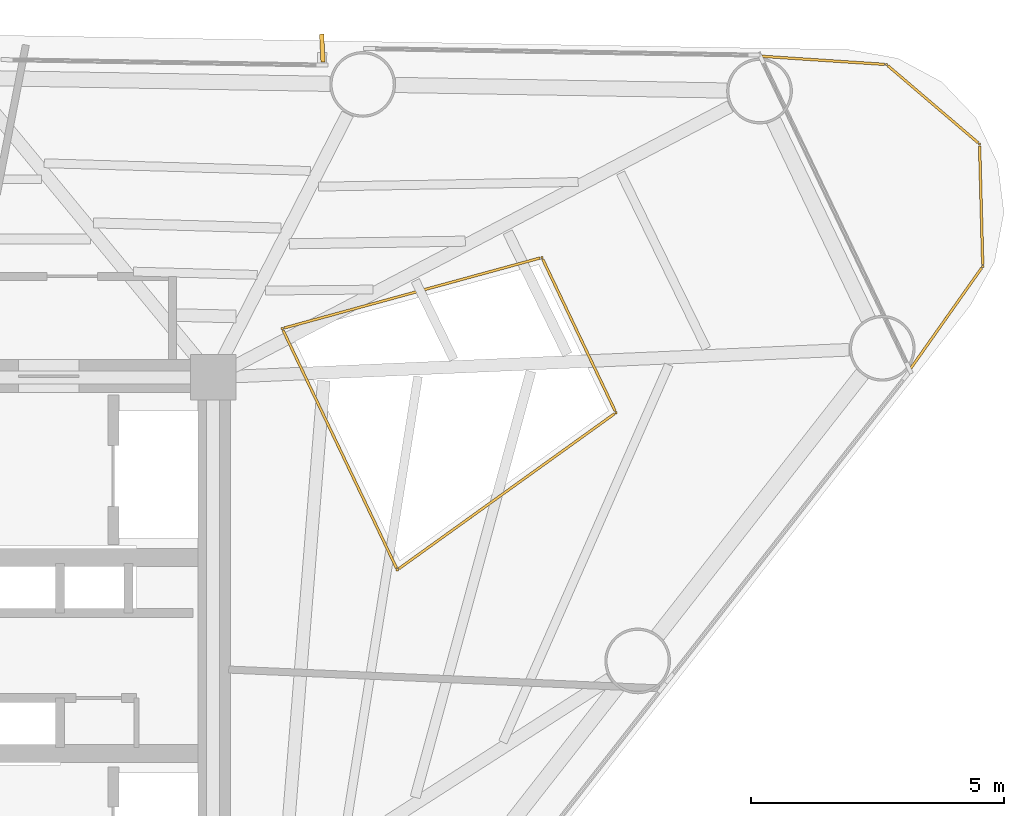
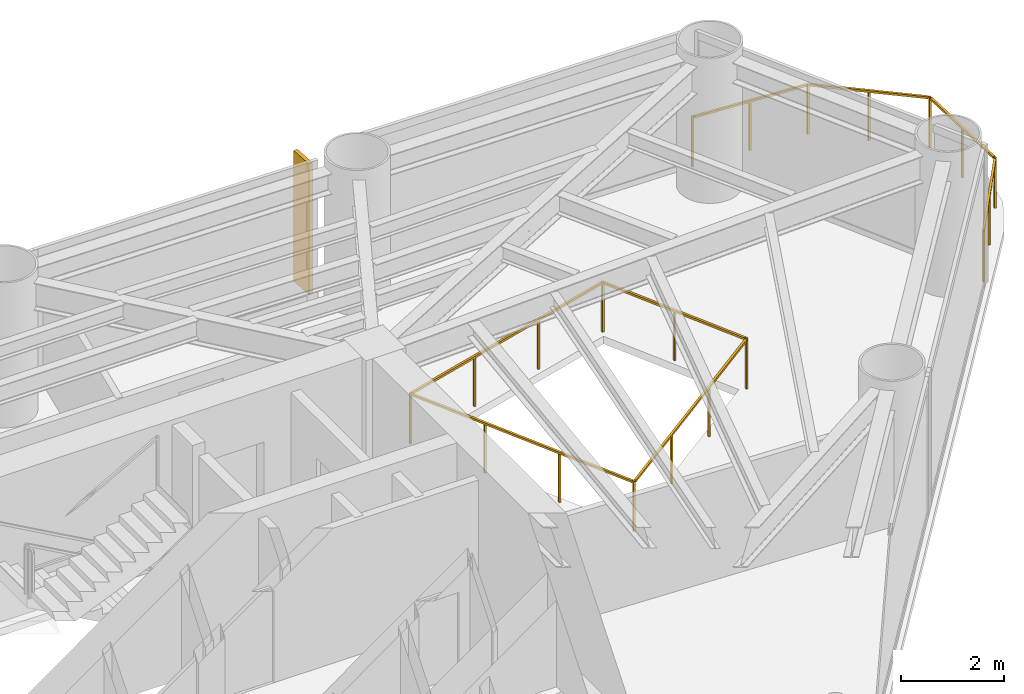
# One storey, part 11 of 11: 2 railings, 1 shading device.
"""IFC4 building model written with IfcOpenShell, lengths in metres."""

from ifc_helpers import new_model, si_unit, direction, frame, origin, origin_2d, place, context, subcontext, project, spatial, rectangle, extrude, source, transform, mapped, material, material_profile, profile_set, type_object, element, save


model = new_model("IFC4")

# Units and contexts
model_context = context("Model", 3, precision=1e-05, world=origin(), true_north=direction((0.0, 1.0)))
body_context = subcontext(model_context, "Body", "Model", "MODEL_VIEW")
ifc_project = project(units=[si_unit("LENGTHUNIT", "METRE"), si_unit("AREAUNIT", "SQUARE_METRE"), si_unit("VOLUMEUNIT", "CUBIC_METRE"), si_unit("PLANEANGLEUNIT", "RADIAN"), si_unit("MASSUNIT", "GRAM", prefix="KILO")], contexts=[model_context])

# Site, building, storey
site_placement = place(None, origin())
site = spatial("IfcSite", under=ifc_project, at=site_placement, CompositionType="ELEMENT")
building_placement = place(site_placement, origin())
building = spatial("IfcBuilding", under=site, at=building_placement, Name="Yunling Apex Tower", CompositionType="ELEMENT")
storey_placement = place(building_placement, frame((0.0, 0.0, 150.199951171875)))
storey = spatial("IfcBuildingStorey", under=building, at=storey_placement, Name="L37", CompositionType="ELEMENT", Elevation=150.199951171875)

# Railings
ifc_material = material(Name="Bronze anodised aluminium", Category="aluminium")
railing_type = type_object("IfcRailingType", Name="RL-BAL-1200", PredefinedType="BALUSTRADE", material=ifc_material)
railing_1_placement = place(storey_placement, frame((16.8701171875, 11.853515625, 0.0)))
element("IfcRailing", 1, at=railing_1_placement, inside=storey, type_object=railing_type, Name="RL-CRNSILL-L37-1", PredefinedType="BALUSTRADE", context=body_context, shape_type="SweptSolid", body=[
    extrude(rectangle(XDim=0.0439453125, YDim=0.0439453125, at=origin_2d()), origin(), (0.0, 0.0, 1.0), 1.199951171875),
    extrude(rectangle(XDim=0.0439453125, YDim=0.0439453125, at=origin_2d()), frame((2.498779296875, -0.164794921875, 0.0)), (0.0, 0.0, 1.0), 1.199951171875),
    extrude(rectangle(XDim=0.050048828125, YDim=0.050048828125, at=origin_2d()), frame((0.038330078125, -0.00244140625, 1.1748046875), z_axis=(0.99783235592, -0.065807214484, 0.0), x_axis=(0.065807214484, 0.99783235592, 0.0)), (0.0, 0.0, 1.0), 2.427490234375),
    extrude(rectangle(XDim=0.0439453125, YDim=0.0439453125, at=origin_2d()), frame((1.24951171875, -0.08251953125, 0.0)), (0.0, 0.0, 1.0), 1.14599609375),
    extrude(rectangle(XDim=0.0439453125, YDim=0.0439453125, at=origin_2d()), frame((4.339599609375, -1.737060546875, 0.0)), (0.0, 0.0, 1.0), 1.199951171875),
    extrude(rectangle(XDim=0.050048828125, YDim=0.050048828125, at=origin_2d()), frame((2.52783203125, -0.189697265625, 1.1748046875), z_axis=(0.760394429478, -0.649461555151, 0.0), x_axis=(0.649461555151, 0.760394429478, 0.0)), (0.0, 0.0, 1.0), 2.34423828125),
    extrude(rectangle(XDim=0.0439453125, YDim=0.0439453125, at=origin_2d()), frame((3.419189453125, -0.950927734375, 0.0)), (0.0, 0.0, 1.0), 1.14599609375),
    extrude(rectangle(XDim=0.0439453125, YDim=0.0439453125, at=origin_2d()), frame((4.403076171875, -4.156982421875, 0.0)), (0.0, 0.0, 1.0), 1.199951171875),
    extrude(rectangle(XDim=0.050048828125, YDim=0.050048828125, at=origin_2d()), frame((4.340576171875, -1.775390625, 1.1748046875), z_axis=(0.026221811823, -0.999656149176, 0.0), x_axis=(0.999656149176, 0.026221811823, 0.0)), (0.0, 0.0, 1.0), 2.343994140625),
    extrude(rectangle(XDim=0.0439453125, YDim=0.0439453125, at=origin_2d()), frame((4.371337890625, -2.947021484375, 0.0)), (0.0, 0.0, 1.0), 1.14599609375),
    extrude(rectangle(XDim=0.0439453125, YDim=0.0439453125, at=origin_2d()), frame((2.95849609375, -6.20263671875, 0.0)), (0.0, 0.0, 1.0), 1.199951171875),
    extrude(rectangle(XDim=0.050048828125, YDim=0.050048828125, at=origin_2d()), frame((4.380859375, -4.188232421875, 1.1748046875), z_axis=(-0.576840114355, -0.816857075914, 0.0), x_axis=(0.816857075914, -0.576840114355, 0.0)), (0.0, 0.0, 1.0), 2.427734375),
    extrude(rectangle(XDim=0.0439453125, YDim=0.0439453125, at=origin_2d()), frame((3.6806640625, -5.1796875, 0.0)), (0.0, 0.0, 1.0), 1.14599609375),
])
railing_2_placement = place(storey_placement, frame((7.41845703125, 6.46728515625, 0.0)))
element("IfcRailing", 2, at=railing_2_placement, inside=storey, type_object=railing_type, Name="RL-TATR-L37", PredefinedType="BALUSTRADE", context=body_context, shape_type="SweptSolid", body=[
    extrude(rectangle(XDim=0.0439453125, YDim=0.0439453125, at=origin_2d()), origin(), (0.0, 0.0, 1.0), 1.199951171875),
    extrude(rectangle(XDim=0.0439453125, YDim=0.0439453125, at=origin_2d()), frame((5.135498046875, 1.404541015625, 0.0)), (0.0, 0.0, 1.0), 1.199951171875),
    extrude(rectangle(XDim=0.050048828125, YDim=0.050048828125, at=origin_2d()), frame((0.036865234375, 0.010009765625, 1.1748046875), z_axis=(0.964575212807, 0.263807996162, 0.0), x_axis=(-0.263807996162, 0.964575212807, 0.0)), (0.0, 0.0, 1.0), 5.24755859375),
    extrude(rectangle(XDim=0.0439453125, YDim=0.0439453125, at=origin_2d()), frame((1.7119140625, 0.46826171875, 0.0)), (0.0, 0.0, 1.0), 1.14599609375),
    extrude(rectangle(XDim=0.0439453125, YDim=0.0439453125, at=origin_2d()), frame((3.423583984375, 0.936279296875, 0.0)), (0.0, 0.0, 1.0), 1.14599609375),
    extrude(rectangle(XDim=0.0439453125, YDim=0.0439453125, at=origin_2d()), frame((6.599609375, -1.664794921875, 0.0)), (0.0, 0.0, 1.0), 1.199951171875),
    extrude(rectangle(XDim=0.050048828125, YDim=0.050048828125, at=origin_2d()), frame((5.152099609375, 1.369873046875, 1.1748046875), z_axis=(0.430538211034, -0.902572351028, 0.0), x_axis=(0.902572351028, 0.430538211034, 0.0)), (0.0, 0.0, 1.0), 3.323974609375),
    extrude(rectangle(XDim=0.0439453125, YDim=0.0439453125, at=origin_2d()), frame((5.86767578125, -0.130126953125, 0.0)), (0.0, 0.0, 1.0), 1.14599609375),
    extrude(rectangle(XDim=0.0439453125, YDim=0.0439453125, at=origin_2d()), frame((2.276123046875, -4.77197265625, 0.0)), (0.0, 0.0, 1.0), 1.199951171875),
    extrude(rectangle(XDim=0.050048828125, YDim=0.050048828125, at=origin_2d()), frame((6.568603515625, -1.687255859375, 1.1748046875), z_axis=(-0.812044572196, -0.583595418733, 0.0), x_axis=(0.583595418733, -0.812044572196, 0.0)), (0.0, 0.0, 1.0), 5.24755859375),
    extrude(rectangle(XDim=0.0439453125, YDim=0.0439453125, at=origin_2d()), frame((5.158447265625, -2.700439453125, 0.0)), (0.0, 0.0, 1.0), 1.14599609375),
    extrude(rectangle(XDim=0.0439453125, YDim=0.0439453125, at=origin_2d()), frame((3.71728515625, -3.736328125, 0.0)), (0.0, 0.0, 1.0), 1.14599609375),
    extrude(rectangle(XDim=0.050048828125, YDim=0.050048828125, at=origin_2d()), frame((2.259521484375, -4.7373046875, 1.1748046875), z_axis=(-0.430512460038, 0.902584634121, 0.0), x_axis=(-0.902584634121, -0.430512460038, 0.0)), (0.0, 0.0, 1.0), 5.21044921875),
    extrude(rectangle(XDim=0.0439453125, YDim=0.0439453125, at=origin_2d()), frame((1.517333984375, -3.181396484375, 0.0)), (0.0, 0.0, 1.0), 1.14599609375),
    extrude(rectangle(XDim=0.0439453125, YDim=0.0439453125, at=origin_2d()), frame((0.7587890625, -1.590576171875, 0.0)), (0.0, 0.0, 1.0), 1.14599609375),
])

# Shading device
ifc_material_profile = material_profile(ifc_material, rectangle(XDim=0.0849609375, YDim=0.550048828125, at=origin_2d()))
ifc_profile_set = profile_set([ifc_material_profile], Name="Bronze anodised aluminium")
shading_device_type = type_object("IfcShadingDeviceType", Name="FN-BRZ-3", PredefinedType="USERDEFINED", material=ifc_profile_set)
shared_shape = source(origin(), body_context, "Body", "SweptSolid", [
    extrude(rectangle(XDim=0.0849609375, YDim=0.550048828125, at=origin_2d()), origin(), (0.0, 0.0, 1.0), 3.110107421875),
])
shading_device_placement = place(storey_placement, frame((8.21142578125, 12.013671875, 0.06005859375), z_axis=(0.0, 0.0, 1.0), x_axis=(-0.998814648022, -0.048675444496, 0.0)))
element("IfcShadingDevice", 3, at=shading_device_placement, inside=storey, type_object=shading_device_type, Name="CW-L37-F2-B2-FIN-01", ObjectType="FIN", PredefinedType="USERDEFINED", context=body_context, shape_type="MappedRepresentation", body=[
    mapped(shared_shape, transform((0.0, 0.0, 0.0), scale=1.0)),
])

save(model, "model.ifc")
